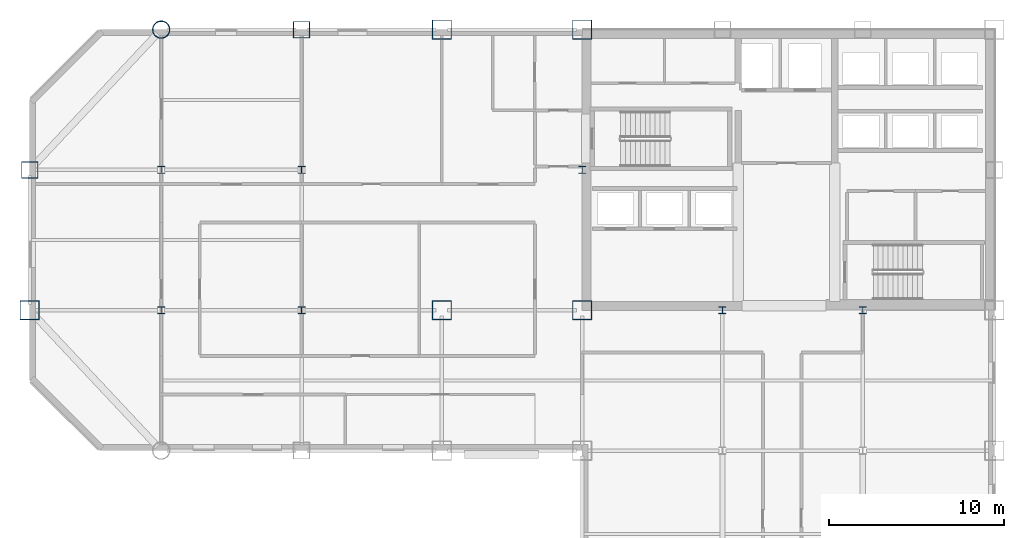
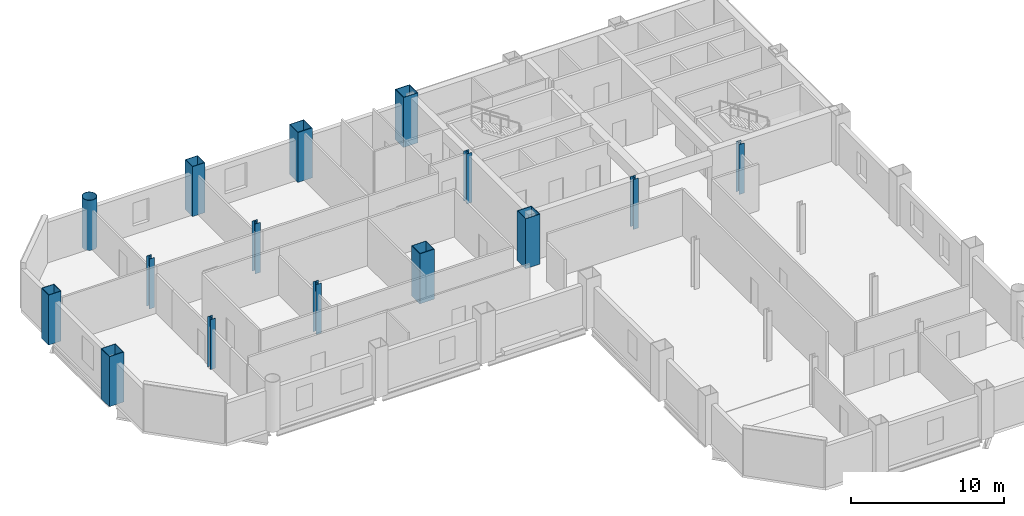
# One storey, part 3 of 10: 15 columns.
"""IFC4 building model written with IfcOpenShell, lengths in metres."""

from ifc_helpers import new_model, si_unit, direction, frame, origin, origin_2d, place, context, subcontext, project, spatial, hollow_rectangle, hollow_circle, i_section, extrude, material, material_profile, profile_set, type_object, element, save


model = new_model("IFC4")

# Units and contexts
model_context = context("Model", 3, precision=1e-05, world=origin(), true_north=direction((0.0, 1.0)))
body_context = subcontext(model_context, "Body", "Model", "MODEL_VIEW")
ifc_project = project(units=[si_unit("LENGTHUNIT", "METRE"), si_unit("AREAUNIT", "SQUARE_METRE"), si_unit("VOLUMEUNIT", "CUBIC_METRE"), si_unit("PLANEANGLEUNIT", "RADIAN"), si_unit("MASSUNIT", "GRAM", prefix="KILO")], contexts=[model_context])

# Site, building, storey
site_placement = place(None, origin())
site = spatial("IfcSite", under=ifc_project, at=site_placement, CompositionType="ELEMENT")
building_placement = place(site_placement, origin())
building = spatial("IfcBuilding", under=site, at=building_placement, Name="Qianrong Seaharbour Tower", CompositionType="ELEMENT")
storey_placement = place(building_placement, frame((0.0, 0.0, 135.0)))
storey = spatial("IfcBuildingStorey", under=building, at=storey_placement, Name="L32", CompositionType="ELEMENT", Elevation=135.0)

# Columns
ifc_material = material(Name="Structural steel SN490B", Category="steel")
ifc_material_profile_1 = material_profile(ifc_material, hollow_rectangle(XDim=1.10009765625, YDim=1.10009765625, WallThickness=0.0400390625, at=origin_2d()), Name="BOX1100x1100x40")
ifc_profile_set_1 = profile_set([ifc_material_profile_1], Name="Structural steel SN490B")
column_type_1 = type_object("IfcColumnType", Name="COL-CFT-1100", PredefinedType="COLUMN", material=ifc_profile_set_1)
for number, where, z_axis, x_axis, name in (
    (1, (9.0, 36.0, 0.0), (0.0, 0.0, 1.0), (1.0, 0.0, 0.0), "L32 Column MC-3 at G2/GF"),
    (2, (32.5, 36.0, 0.0), (0.0, 0.0, 1.0), (1.0, 0.0, 0.0), "L32 Column MC-3 at G5/GF"),
    (3, (32.5, 52.0, 0.0), (0.0, 0.0, 1.0), (1.0, 0.0, 0.0), "L32 Column MC-3 at G5/GH"),
    (4, (40.5, 36.0, 0.0), (0.0, 0.0, 1.0), (1.0, 0.0, 0.0), "L32 Column MC-3 at G6/GF"),
    (5, (40.5, 52.0, 0.0), (0.0, 0.0, 1.0), (1.0, 0.0, 0.0), "L32 Column MC-3 at G6/GH"),
):
    element("IfcColumn", number, at=place(storey_placement, frame(where, z_axis=z_axis, x_axis=x_axis)), inside=storey, type_object=column_type_1, Name=name, PredefinedType="COLUMN", context=body_context, shape_type="SweptSolid", body=[
        extrude(hollow_rectangle(XDim=1.10009765625, YDim=1.10009765625, WallThickness=0.0400390625, at=origin_2d()), origin(), (0.0, 0.0, 1.0), 4.0),
    ])
ifc_material_profile_2 = material_profile(ifc_material, hollow_circle(Radius=0.5, WallThickness=0.035888671875, at=origin_2d()), Name="CHS1000x36")
ifc_profile_set_2 = profile_set([ifc_material_profile_2], Name="Structural steel SN490B")
column_type_2 = type_object("IfcColumnType", Name="COL-CHS-1000", PredefinedType="COLUMN", material=ifc_profile_set_2)
column_placement = place(storey_placement, frame((16.5, 52.0, 0.0), z_axis=(0.0, 0.0, 1.0), x_axis=(1.0, 0.0, 0.0)))
element("IfcColumn", 6, at=column_placement, inside=storey, type_object=column_type_2, Name="L32 Column CC-2 at G3/GH", PredefinedType="COLUMN", context=body_context, shape_type="SweptSolid", body=[
    extrude(hollow_circle(Radius=0.5, WallThickness=0.035888671875, at=origin_2d()), origin(), (0.0, 0.0, 1.0), 4.0),
])
ifc_material_profile_3 = material_profile(ifc_material, i_section(OverallWidth=0.39990234375, OverallDepth=0.39990234375, WebThickness=0.012939453125, FlangeThickness=0.02099609375, FilletRadius=0.02197265625, at=origin_2d()), Name="H400x400x13x21")
ifc_profile_set_3 = profile_set([ifc_material_profile_3], Name="Structural steel SN490B")
column_type_3 = type_object("IfcColumnType", Name="COL-INT-H400", PredefinedType="COLUMN", material=ifc_profile_set_3)
for number, where, z_axis, x_axis, name in (
    (7, (16.5, 36.0, 0.0), (0.0, 0.0, 1.0), (1.0, 0.0, 0.0), "L32 Column IC-3 at G3/GF"),
    (8, (16.5, 44.0, 0.0), (0.0, 0.0, 1.0), (1.0, 0.0, 0.0), "L32 Column IC-3 at G3/GG"),
    (9, (24.5, 36.0, 0.0), (0.0, 0.0, 1.0), (1.0, 0.0, 0.0), "L32 Column IC-3 at G4/GF"),
    (10, (24.5, 44.0, 0.0), (0.0, 0.0, 1.0), (1.0, 0.0, 0.0), "L32 Column IC-3 at G4/GG"),
    (11, (40.5, 44.0, 0.0), (0.0, 0.0, 1.0), (1.0, 0.0, 0.0), "L32 Column IC-3 at G6/GG"),
    (12, (48.5, 36.0, 0.0), (0.0, 0.0, 1.0), (1.0, 0.0, 0.0), "L32 Column IC-3 at G7/GF"),
    (13, (56.5, 36.0, 0.0), (0.0, 0.0, 1.0), (1.0, 0.0, 0.0), "L32 Column IC-3 at G8/GF"),
):
    element("IfcColumn", number, at=place(storey_placement, frame(where, z_axis=z_axis, x_axis=x_axis)), inside=storey, type_object=column_type_3, Name=name, PredefinedType="COLUMN", context=body_context, shape_type="SweptSolid", body=[
        extrude(i_section(OverallWidth=0.39990234375, OverallDepth=0.39990234375, WebThickness=0.012939453125, FlangeThickness=0.02099609375, FilletRadius=0.02197265625, at=origin_2d()), origin(), (0.0, 0.0, 1.0), 4.0),
    ])
ifc_material_profile_4 = material_profile(ifc_material, hollow_rectangle(XDim=0.949951171875, YDim=0.949951171875, WallThickness=0.035888671875, at=origin_2d()), Name="BOX950x950x36")
ifc_profile_set_4 = profile_set([ifc_material_profile_4], Name="Structural steel SN490B")
column_type_4 = type_object("IfcColumnType", Name="COL-PER-950", PredefinedType="COLUMN", material=ifc_profile_set_4)
for number, where, z_axis, x_axis, name in (
    (14, (9.0, 44.0, 0.0), (0.0, 0.0, 1.0), (1.0, 0.0, 0.0), "L32 Column PC-2 at G2/GG"),
    (15, (24.5, 52.0, 0.0), (0.0, 0.0, 1.0), (1.0, 0.0, 0.0), "L32 Column PC-2 at G4/GH"),
):
    element("IfcColumn", number, at=place(storey_placement, frame(where, z_axis=z_axis, x_axis=x_axis)), inside=storey, type_object=column_type_4, Name=name, PredefinedType="COLUMN", context=body_context, shape_type="SweptSolid", body=[
        extrude(hollow_rectangle(XDim=0.949951171875, YDim=0.949951171875, WallThickness=0.035888671875, at=origin_2d()), origin(), (0.0, 0.0, 1.0), 4.0),
    ])

save(model, "model.ifc")
